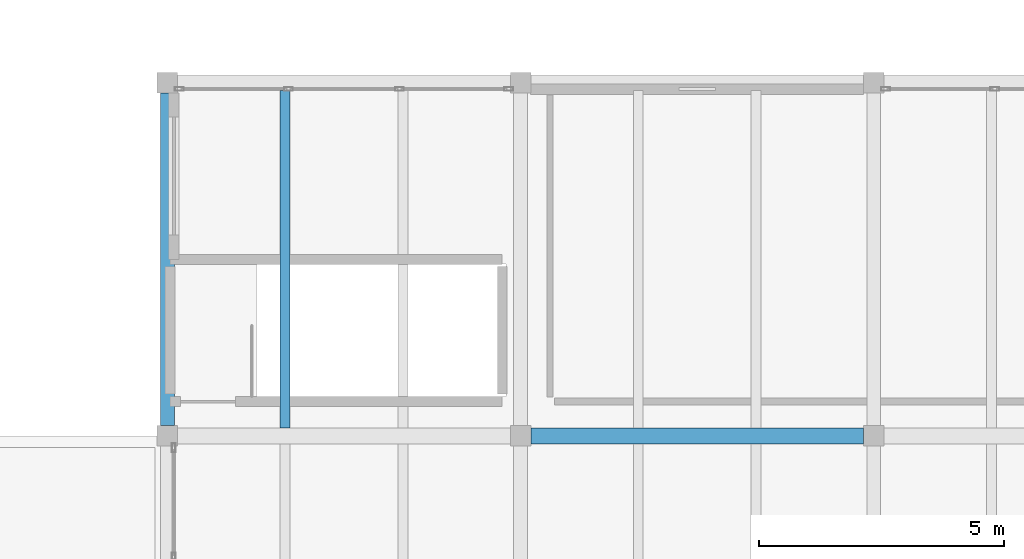
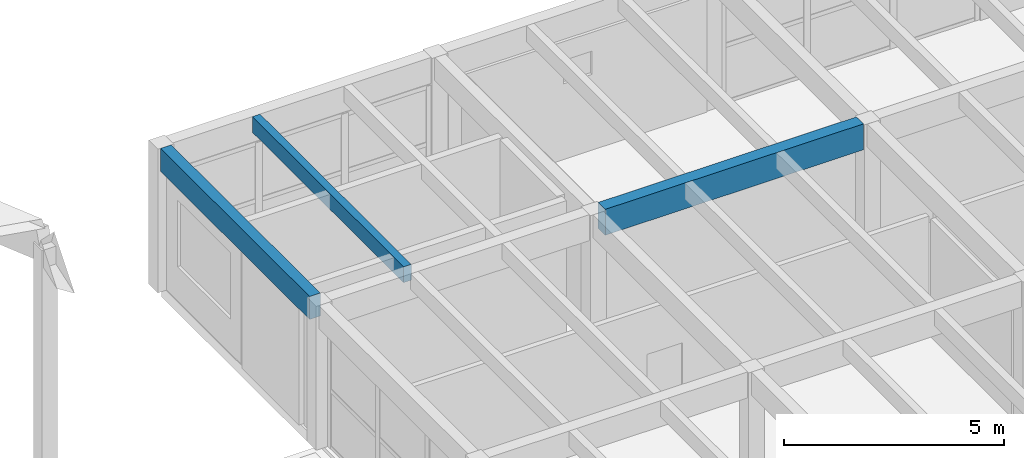
# One storey, part 23 of 68: 3 beams.
"""IFC4 building model written with IfcOpenShell, lengths in metres."""

from ifc_helpers import new_model, si_unit, direction, frame, origin, origin_2d, place, context, subcontext, project, spatial, rectangle, extrude, material, material_profile, profile_set, type_object, element, save


model = new_model("IFC4")

# Units and contexts
model_context = context("Model", 3, precision=1e-05, world=origin(), true_north=direction((0.0, 1.0)))
body_context = subcontext(model_context, "Body", "Model", "MODEL_VIEW")
ifc_project = project(units=[si_unit("LENGTHUNIT", "METRE"), si_unit("AREAUNIT", "SQUARE_METRE"), si_unit("VOLUMEUNIT", "CUBIC_METRE"), si_unit("PLANEANGLEUNIT", "RADIAN"), si_unit("MASSUNIT", "GRAM", prefix="KILO")], contexts=[model_context])

# Site, building, storey
site_placement = place(None, origin())
site = spatial("IfcSite", under=ifc_project, at=site_placement, CompositionType="ELEMENT")
building_placement = place(site_placement, origin())
building = spatial("IfcBuilding", under=site, at=building_placement, Name="Bramvelor Terrace Health Centre", CompositionType="ELEMENT")
storey_placement = place(building_placement, frame((0.0, 0.0, 9.300048828125)))
storey = spatial("IfcBuildingStorey", under=building, at=storey_placement, Name="L03", CompositionType="ELEMENT", Elevation=9.300048828125)

# Beams
ifc_material_1 = material(Name="Glulam GL28h", Category="wood")
ifc_material_profile_1 = material_profile(ifc_material_1, rectangle(XDim=0.280029296875, YDim=0.639892578125, at=origin_2d()), Name="GL 280x640")
ifc_profile_set_1 = profile_set([ifc_material_profile_1], Name="Glulam GL28h")
beam_type_1 = type_object("IfcBeamType", Name="BM-GL-G640", PredefinedType="BEAM", material=ifc_profile_set_1)
beam_1_placement = place(storey_placement, frame((100.800048828125, 57.81005859375, 3.669921875), z_axis=(0.0, 1.0, 0.0), x_axis=(-1.0, 0.0, 0.0)))
element("IfcBeam", 1, at=beam_1_placement, inside=storey, type_object=beam_type_1, Name="L03 Floor Girder", PredefinedType="BEAM", context=body_context, shape_type="SweptSolid", body=[
    extrude(rectangle(XDim=0.280029296875, YDim=0.639892578125, at=origin_2d()), origin(), (0.0, 0.0, 1.0), 6.780029296875),
])
ifc_material_2 = material(Name="Glulam GL28h", Category="wood")
ifc_material_profile_2 = material_profile(ifc_material_2, rectangle(XDim=0.320068359375, YDim=0.719970703125, at=origin_2d()), Name="GL 320x720")
ifc_profile_set_2 = profile_set([ifc_material_profile_2], Name="Glulam GL28h")
beam_type_2 = type_object("IfcBeamType", Name="BM-GL-G720", PredefinedType="BEAM", material=ifc_profile_set_2)
beam_2_placement = place(storey_placement, frame((108.2099609375, 57.60009765625, 3.6298828125), z_axis=(1.0, 0.0, 0.0), x_axis=(0.0, 1.0, 0.0)))
element("IfcBeam", 2, at=beam_2_placement, inside=storey, type_object=beam_type_2, Name="L03 Floor Girder", PredefinedType="BEAM", context=body_context, shape_type="SweptSolid", body=[
    extrude(rectangle(XDim=0.320068359375, YDim=0.719970703125, at=origin_2d()), origin(), (0.0, 0.0, 1.0), 6.780029296875),
])
ifc_material_3 = material(Name="Glulam GL28h", Category="wood")
ifc_material_profile_3 = material_profile(ifc_material_3, rectangle(XDim=0.199951171875, YDim=0.43994140625, at=origin_2d()), Name="GL 200x440")
ifc_profile_set_3 = profile_set([ifc_material_profile_3], Name="Glulam GL28h")
beam_type_3 = type_object("IfcBeamType", Name="BM-GL-J440", PredefinedType="JOIST", material=ifc_profile_set_3)
beam_3_placement = place(storey_placement, frame((103.199951171875, 57.760009765625, 3.77001953125), z_axis=(0.0, 1.0, 0.0), x_axis=(-1.0, 0.0, 0.0)))
element("IfcBeam", 3, at=beam_3_placement, inside=storey, type_object=beam_type_3, Name="L03 Secondary Floor Joist", PredefinedType="JOIST", context=body_context, shape_type="SweptSolid", body=[
    extrude(rectangle(XDim=0.199951171875, YDim=0.43994140625, at=origin_2d()), origin(), (0.0, 0.0, 1.0), 6.8798828125),
])

save(model, "model.ifc")
